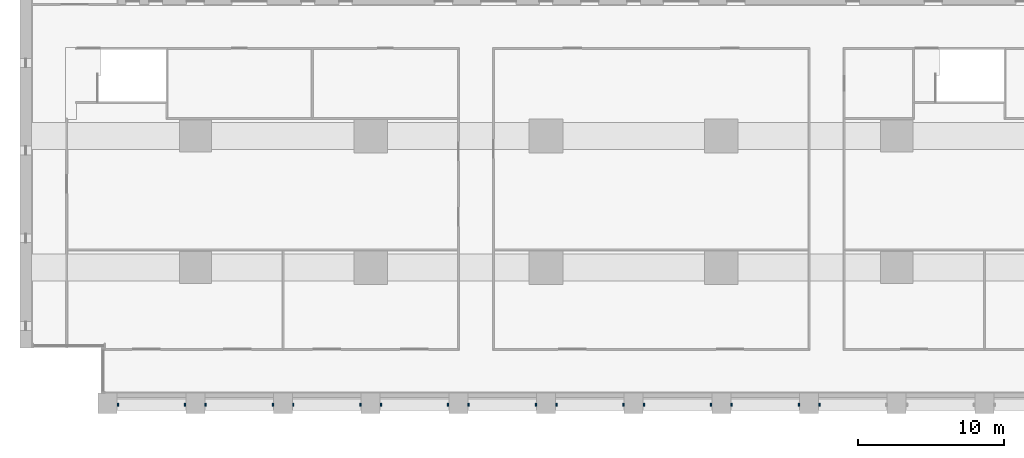
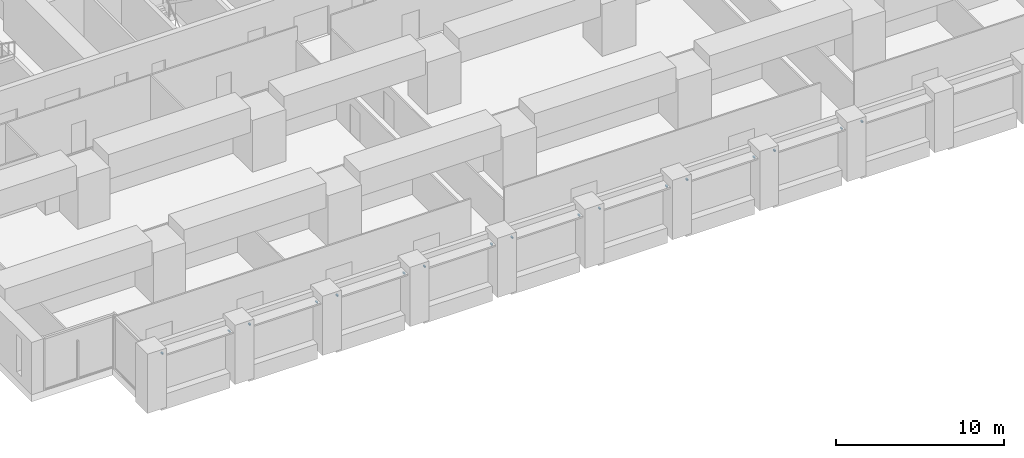
# One storey, part 14 of 17: 17 discrete accessories.
"""IFC4 building model written with IfcOpenShell, lengths in metres."""

from ifc_helpers import new_model, si_unit, direction, frame, origin, origin_2d, place, context, subcontext, project, spatial, rectangle, extrude, element, save


model = new_model("IFC4")

# Units and contexts
model_context = context("Model", 3, precision=1e-05, world=origin(), true_north=direction((0.0, 1.0)))
body_context = subcontext(model_context, "Body", "Model", "MODEL_VIEW")
ifc_project = project(units=[si_unit("LENGTHUNIT", "METRE"), si_unit("AREAUNIT", "SQUARE_METRE"), si_unit("VOLUMEUNIT", "CUBIC_METRE"), si_unit("PLANEANGLEUNIT", "RADIAN"), si_unit("MASSUNIT", "GRAM", prefix="KILO")], contexts=[model_context])

# Site, building, storey
site_placement = place(None, origin())
site = spatial("IfcSite", under=ifc_project, at=site_placement, CompositionType="ELEMENT")
building_placement = place(site_placement, origin())
building = spatial("IfcBuilding", under=site, at=building_placement, Name="Calvaro Tower", CompositionType="ELEMENT")
storey_placement = place(building_placement, frame((0.0, 0.0, 17.89990234375)))
storey = spatial("IfcBuildingStorey", under=building, at=storey_placement, Name="L03", CompositionType="ELEMENT", Elevation=17.89990234375)

# Discrete accessories
for number, where, z_axis, x_axis, name in (
    (1, (6.699951171875, 0.60009765625, 3.0), (0.0, 0.0, 1.0), (1.0, 0.0, 0.0), "Brise-soleil bracket"),
    (2, (11.300048828125, 0.60009765625, 3.0), (0.0, 0.0, 1.0), (1.0, 0.0, 0.0), "Brise-soleil bracket"),
    (3, (12.699951171875, 0.60009765625, 3.0), (0.0, 0.0, 1.0), (1.0, 0.0, 0.0), "Brise-soleil bracket"),
    (4, (17.300048828125, 0.60009765625, 3.0), (0.0, 0.0, 1.0), (1.0, 0.0, 0.0), "Brise-soleil bracket"),
    (5, (18.699951171875, 0.60009765625, 3.0), (0.0, 0.0, 1.0), (1.0, 0.0, 0.0), "Brise-soleil bracket"),
    (6, (23.300048828125, 0.60009765625, 3.0), (0.0, 0.0, 1.0), (1.0, 0.0, 0.0), "Brise-soleil bracket"),
    (7, (24.699951171875, 0.60009765625, 3.0), (0.0, 0.0, 1.0), (1.0, 0.0, 0.0), "Brise-soleil bracket"),
    (8, (29.300048828125, 0.60009765625, 3.0), (0.0, 0.0, 1.0), (1.0, 0.0, 0.0), "Brise-soleil bracket"),
    (9, (30.699951171875, 0.60009765625, 3.0), (0.0, 0.0, 1.0), (1.0, 0.0, 0.0), "Brise-soleil bracket"),
    (10, (35.300048828125, 0.60009765625, 3.0), (0.0, 0.0, 1.0), (1.0, 0.0, 0.0), "Brise-soleil bracket"),
    (11, (36.699951171875, 0.60009765625, 3.0), (0.0, 0.0, 1.0), (1.0, 0.0, 0.0), "Brise-soleil bracket"),
    (12, (41.300048828125, 0.60009765625, 3.0), (0.0, 0.0, 1.0), (1.0, 0.0, 0.0), "Brise-soleil bracket"),
    (13, (42.699951171875, 0.60009765625, 3.0), (0.0, 0.0, 1.0), (1.0, 0.0, 0.0), "Brise-soleil bracket"),
    (14, (47.300048828125, 0.60009765625, 3.0), (0.0, 0.0, 1.0), (1.0, 0.0, 0.0), "Brise-soleil bracket"),
    (15, (48.699951171875, 0.60009765625, 3.0), (0.0, 0.0, 1.0), (1.0, 0.0, 0.0), "Brise-soleil bracket"),
    (16, (53.300048828125, 0.60009765625, 3.0), (0.0, 0.0, 1.0), (1.0, 0.0, 0.0), "Brise-soleil bracket"),
    (17, (54.699951171875, 0.60009765625, 3.0), (0.0, 0.0, 1.0), (1.0, 0.0, 0.0), "Brise-soleil bracket"),
):
    element("IfcDiscreteAccessory", number, at=place(storey_placement, frame(where, z_axis=z_axis, x_axis=x_axis)), inside=storey, Name=name, PredefinedType="BRACKET", context=body_context, shape_type="SweptSolid", body=[
        extrude(rectangle(XDim=0.10009765625, YDim=0.199951171875, at=origin_2d()), origin(), (0.0, 0.0, 1.0), 0.10009765625),
    ])

save(model, "model.ifc")
